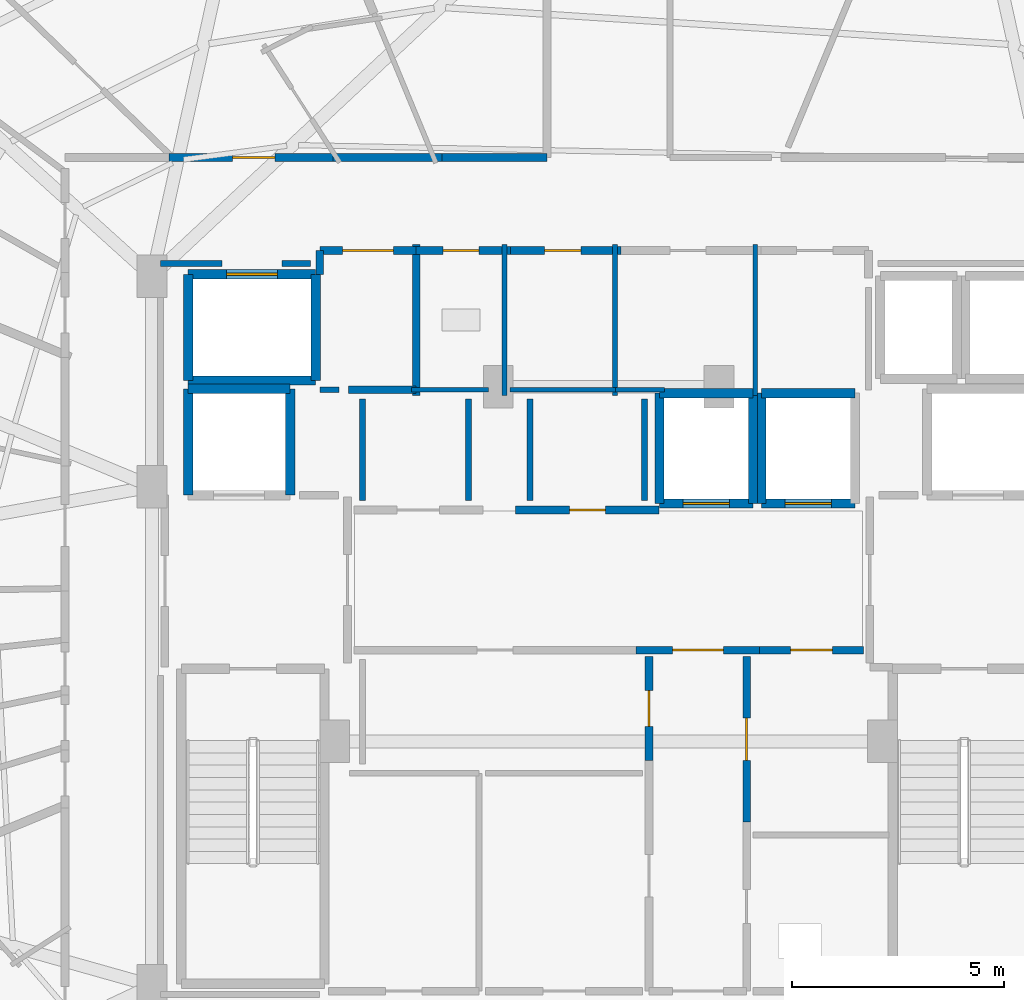
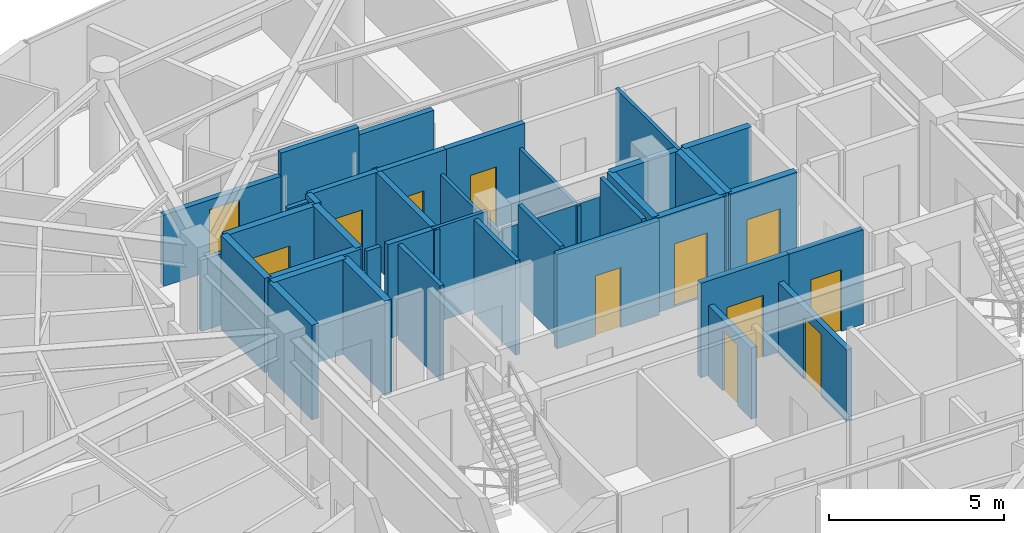
# One storey, part 25 of 31: 41 walls, 12 doors, 12 openings.
"""IFC4 building model written with IfcOpenShell, lengths in metres."""

import ifcopenshell
import ifcopenshell.guid

model = None  # the IFC model being written
_history = None  # IfcOwnerHistory: only IFC2X3 demands one
_inside = {}  # id of a spatial element -> (the spatial element, [elements in it])
_under = {}  # id of a project, library or spatial element -> (it, [spatial elements below it])
_declared = {}  # id of a project -> (the project, [libraries it declares])
_typed = {}  # id of a type object -> (the type object, [elements of that type])
_made_of = {}  # id of a material, layer set ... -> (it, [elements and type objects made of it])


def new_model(schema):
    """Start an empty IFC model of exactly this schema.

    Asked for "IFC4X3", IfcOpenShell would pick the latest addendum, in which some entities
    have other attributes; the version numbers below select the first issue.
    IFC2X3 requires an IfcOwnerHistory on every rooted entity: one is made here for all.
    """
    global model, _history
    if schema == "IFC4X3":
        model = ifcopenshell.file(schema_version=(4, 3, 0, 0))
    else:
        model = ifcopenshell.file(schema=schema)
    _inside.clear()
    _under.clear()
    _declared.clear()
    _typed.clear()
    _made_of.clear()
    _history = None
    if model.schema == "IFC2X3":
        org = make("IfcOrganization", Name="unknown")
        user = make(
            "IfcPersonAndOrganization",
            ThePerson=make("IfcPerson", FamilyName="unknown"),
            TheOrganization=org,
        )
        app = make(
            "IfcApplication",
            ApplicationDeveloper=org,
            Version="unknown",
            ApplicationFullName="unknown",
            ApplicationIdentifier="unknown",
        )
        _history = make(
            "IfcOwnerHistory",
            OwningUser=user,
            OwningApplication=app,
            ChangeAction="ADDED",
            CreationDate=0,
        )
    return model


def make(cls, **values):
    """One entity of the class cls with the attributes given. An attribute that is None is left unset."""
    return model.create_entity(
        cls, **{name: value for name, value in values.items() if value is not None}
    )


def rooted(cls, **values):
    """An entity with a GlobalId (a new one), such as an element, a storey or a relation."""
    return make(cls, GlobalId=ifcopenshell.guid.new(), OwnerHistory=_history, **values)


def si_unit(unit_type, name, prefix=None):
    """IfcSIUnit, for example si_unit("LENGTHUNIT", "METRE", prefix="MILLI")."""
    return make("IfcSIUnit", UnitType=unit_type, Prefix=prefix, Name=name)


def assignment(units):
    """IfcUnitAssignment: the units of a project."""
    return None if units is None else make("IfcUnitAssignment", Units=units)


def point(xyz):
    """IfcCartesianPoint."""
    return None if xyz is None else make("IfcCartesianPoint", Coordinates=xyz)


def direction(xyz):
    """IfcDirection."""
    return None if xyz is None else make("IfcDirection", DirectionRatios=xyz)


def frame(location, z_axis=None, x_axis=None):
    """IfcAxis2Placement3D, a coordinate frame: its origin and axes. An axis left out is left unset."""
    return make(
        "IfcAxis2Placement3D",
        Location=point(location),
        Axis=direction(z_axis),
        RefDirection=direction(x_axis),
    )


def frame_2d(location, x_axis=None):
    """IfcAxis2Placement2D, a coordinate frame in the plane: its origin and x axis."""
    return make(
        "IfcAxis2Placement2D", Location=point(location), RefDirection=direction(x_axis)
    )


def origin():
    """The frame at (0, 0, 0) with its axes left unset."""
    return frame((0.0, 0.0, 0.0))


def place(relative_to, where):
    """IfcLocalPlacement: puts the frame where relative to a parent placement (None: the world)."""
    return make(
        "IfcLocalPlacement", PlacementRelTo=relative_to, RelativePlacement=where
    )


def context(
    kind, dimensions, precision=None, world=None, true_north=None, identifier=None
):
    """IfcGeometricRepresentationContext, for example the 3D "Model" context."""
    return make(
        "IfcGeometricRepresentationContext",
        ContextIdentifier=identifier,
        ContextType=kind,
        CoordinateSpaceDimension=dimensions,
        Precision=precision,
        WorldCoordinateSystem=world,
        TrueNorth=true_north,
    )


def subcontext(parent, identifier, kind, view, scale=None):
    """IfcGeometricRepresentationSubContext, for example "Body" below "Model"."""
    return make(
        "IfcGeometricRepresentationSubContext",
        ContextIdentifier=identifier,
        ContextType=kind,
        ParentContext=parent,
        TargetScale=scale,
        TargetView=view,
    )


def project(units=None, contexts=None):
    """IfcProject with its units and contexts."""
    return rooted(
        "IfcProject",
        Name="project",
        RepresentationContexts=contexts,
        UnitsInContext=assignment(units),
    )


def spatial(cls, under=None, at=None, **own):
    """A site, building, storey or space (cls), placed at a placement, below another one or the project."""
    s = rooted(cls, ObjectPlacement=at, **own)
    if under is not None:
        _under.setdefault(under.id(), (under, []))[1].append(s)
    return s


def profile(cls, at=None, kind="AREA", **sizes):
    """A parametric profile (cls). Its sizes go by their IFC names, for example OverallWidth=200.0."""
    return make(cls, ProfileType=kind, Position=at, **sizes)


def rectangle(**sizes):
    """IfcRectangleProfileDef."""
    return profile("IfcRectangleProfileDef", **sizes)


def extrude(swept, where, along, depth):
    """IfcExtrudedAreaSolid: the profile swept, set in the frame where, extruded along a direction by depth."""
    return make(
        "IfcExtrudedAreaSolid",
        SweptArea=swept,
        Position=where,
        ExtrudedDirection=direction(along),
        Depth=depth,
    )


def shape(context_of_items, identifier, shape_type, items):
    """IfcShapeRepresentation: the items that make up one representation, for example the "Body"."""
    return make(
        "IfcShapeRepresentation",
        ContextOfItems=context_of_items,
        RepresentationIdentifier=identifier,
        RepresentationType=shape_type,
        Items=items,
    )


def material(Name=None, Category=None):
    """IfcMaterial."""
    return make("IfcMaterial", Name=Name, Category=Category)


def layer(
    of_material, thickness, ventilated=None, Name=None, Category=None, Priority=None
):
    """IfcMaterialLayer: one layer of a wall or slab, of a material (None: an air gap)."""
    return make(
        "IfcMaterialLayer",
        Material=of_material,
        LayerThickness=thickness,
        IsVentilated=ventilated,
        Name=Name,
        Category=Category,
        Priority=Priority,
    )


def layer_set(layers, Name=None):
    """IfcMaterialLayerSet."""
    return make("IfcMaterialLayerSet", MaterialLayers=layers, LayerSetName=Name)


def made_of(thing, what):
    """Note that an element or type object is made of a material, layer set ...; save() writes the relation."""
    if what is not None:
        _made_of.setdefault(what.id(), (what, []))[1].append(thing)
    return thing


def type_object(cls, material=None, **own):
    """A type object (cls), such as IfcWallType, which elements share."""
    return made_of(rooted(cls, **own), material)


def element(
    cls,
    number,
    at=None,
    inside=None,
    cuts=None,
    type_object=None,
    material=None,
    context=None,
    identifier="Body",
    shape_type=None,
    held_by="IfcProductDefinitionShape",
    body=None,
    shapes=None,
    **own,
):
    """One element of the class cls, such as IfcWall. Its Tag is "e" and its number.

    at: its placement. inside: the storey or other place that contains it. cuts: it is an
    opening in that element (IfcRelVoidsElement). A single representation is given by context,
    identifier, shape_type and body (its items); several are given by shapes. held_by: the class
    of the entity that holds the representations. save() writes the other relations.
    """
    e = rooted(cls, Tag="e%d" % number, ObjectPlacement=at, **own)
    if body is not None:
        shapes = [shape(context, identifier, shape_type, body)]
    if shapes is not None:
        e.Representation = make(held_by, Representations=shapes)
    if inside is not None:
        _inside.setdefault(inside.id(), (inside, []))[1].append(e)
    if cuts is not None:
        rooted(
            "IfcRelVoidsElement", RelatingBuildingElement=cuts, RelatedOpeningElement=e
        )
    if type_object is not None:
        _typed.setdefault(type_object.id(), (type_object, []))[1].append(e)
    return made_of(e, material)


def fill(opening, filler):
    """IfcRelFillsElement: the door or window that sits in an opening."""
    return rooted(
        "IfcRelFillsElement",
        RelatingOpeningElement=opening,
        RelatedBuildingElement=filler,
    )


def aggregate(whole, parts):
    """IfcRelAggregates: a whole, such as a stair, and the parts it consists of."""
    return rooted("IfcRelAggregates", RelatingObject=whole, RelatedObjects=parts)


def save(model, path):
    """Write the relations noted so far, then the file.

    IfcRelAggregates (storeys below a building ...), IfcRelContainedInSpatialStructure (elements
    in a storey), IfcRelDefinesByType, IfcRelAssociatesMaterial and IfcRelDeclares: one each for
    every whole, place, type object, material and project.
    """
    for whole, parts in _under.values():
        aggregate(whole, parts)
    for where, things in _inside.values():
        rooted(
            "IfcRelContainedInSpatialStructure",
            RelatedElements=things,
            RelatingStructure=where,
        )
    for kind, things in _typed.values():
        rooted("IfcRelDefinesByType", RelatedObjects=things, RelatingType=kind)
    for what, things in _made_of.values():
        rooted("IfcRelAssociatesMaterial", RelatedObjects=things, RelatingMaterial=what)
    for by, libraries in _declared.values():
        rooted("IfcRelDeclares", RelatingContext=by, RelatedDefinitions=libraries)
    model.write(path)


model = new_model("IFC4")

# Units and contexts
model_context = context("Model", 3, precision=1e-05, world=origin(), true_north=direction((0.0, 1.0)))
body_context = subcontext(model_context, "Body", "Model", "MODEL_VIEW")
ifc_project = project(units=[si_unit("LENGTHUNIT", "METRE"), si_unit("AREAUNIT", "SQUARE_METRE"), si_unit("VOLUMEUNIT", "CUBIC_METRE"), si_unit("PLANEANGLEUNIT", "RADIAN"), si_unit("MASSUNIT", "GRAM", prefix="KILO")], contexts=[model_context])

# Site, building, storey
site_placement = place(None, origin())
site = spatial("IfcSite", under=ifc_project, at=site_placement, CompositionType="ELEMENT")
building_placement = place(site_placement, origin())
building = spatial("IfcBuilding", under=site, at=building_placement, Name="Vorneva Point Tower", CompositionType="ELEMENT")
storey_placement = place(building_placement, frame((0.0, 0.0, 244.89990234375)))
storey = spatial("IfcBuildingStorey", under=building, at=storey_placement, Name="L66", CompositionType="ELEMENT", Elevation=244.89990234375)

# Walls
ifc_material_1 = material(Name="Concrete B60 (C50/60)", Category="concrete")
ifc_layer_1 = layer(ifc_material_1, 0.35009765625)
ifc_layer_set_1 = layer_set([ifc_layer_1], Name="Concrete B60 (C50/60)")
wall_type_1 = type_object("IfcWallType", Name="WL-CORE-350", PredefinedType="SHEAR", material=ifc_layer_set_1)
wall_1_placement = place(storey_placement, frame((30.5, 28.0, 0.0), z_axis=(0.0, 0.0, 1.0), x_axis=(0.0, 1.0, 0.0)))
element("IfcWall", 1, at=wall_1_placement, inside=storey, type_object=wall_type_1, Name="L66 Lift FFL1 Shaft Wall +X", PredefinedType="SHEAR", context=body_context, shape_type="SweptSolid", body=[
    extrude(rectangle(XDim=2.5, YDim=0.219970703125, at=frame_2d((1.25, 0.0))), origin(), (0.0, 0.0, 1.0), 3.2900390625),
])
wall_2_placement = place(storey_placement, frame((30.5, 30.5, 0.0), z_axis=(0.0, 0.0, 1.0), x_axis=(-1.0, 0.0, 0.0)))
element("IfcWall", 2, at=wall_2_placement, inside=storey, type_object=wall_type_1, Name="L66 Lift FFL1 Shaft Wall +Y", PredefinedType="SHEAR", context=body_context, shape_type="SweptSolid", body=[
    extrude(rectangle(XDim=2.39990234375, YDim=0.219970703125, at=frame_2d((1.199951171875, 0.0))), origin(), (0.0, 0.0, 1.0), 3.2900390625),
])
wall_3_placement = place(storey_placement, frame((28.10009765625, 30.5, 0.0), z_axis=(0.0, 0.0, 1.0), x_axis=(0.0, -1.0, 0.0)))
element("IfcWall", 3, at=wall_3_placement, inside=storey, type_object=wall_type_1, Name="L66 Lift FFL1 Shaft Wall -X", PredefinedType="SHEAR", context=body_context, shape_type="SweptSolid", body=[
    extrude(rectangle(XDim=2.5, YDim=0.219970703125, at=frame_2d((1.25, 0.0))), origin(), (0.0, 0.0, 1.0), 3.2900390625),
])
ifc_material_2 = material(Name="Fire-rated acoustic gypsum stud partition", Category="gypsum")
ifc_layer_2 = layer(ifc_material_2, 0.110107421875)
ifc_layer_set_2 = layer_set([ifc_layer_2], Name="Fire-rated acoustic gypsum stud partition")
wall_type_2 = type_object("IfcWallType", Name="WL-PART-110", PredefinedType="PARTITIONING", material=ifc_layer_set_2)
wall_4_placement = place(storey_placement, frame((35.550048828125, 30.340087890625, 0.0), z_axis=(0.0, 0.0, 1.0), x_axis=(0.0, 1.0, 0.0)))
element("IfcWall", 4, at=wall_4_placement, inside=storey, type_object=wall_type_2, Name="L66 Interior Partition 022", PredefinedType="PARTITIONING", context=body_context, shape_type="SweptSolid", body=[
    extrude(rectangle(XDim=3.559814453125, YDim=0.110107421875, at=frame_2d((1.77978515625, 0.0))), origin(), (0.0, 0.0, 1.0), 2.482177734375),
])
wall_5_placement = place(storey_placement, frame((33.360107421875, 30.47998046875, 0.0), z_axis=(0.0, 0.0, 1.0), x_axis=(1.0, 0.0, 0.0)))
element("IfcWall", 5, at=wall_5_placement, inside=storey, type_object=wall_type_2, Name="L66 Interior Partition 023", PredefinedType="PARTITIONING", context=body_context, shape_type="SweptSolid", body=[
    extrude(rectangle(XDim=1.809814453125, YDim=0.110107421875, at=frame_2d((0.90478515625, 0.0))), origin(), (0.0, 0.0, 1.0), 3.2900390625),
])
wall_6_placement = place(storey_placement, frame((38.14990234375, 30.340087890625, 0.0), z_axis=(0.0, 0.0, 1.0), x_axis=(0.0, 1.0, 0.0)))
element("IfcWall", 6, at=wall_6_placement, inside=storey, type_object=wall_type_2, Name="L66 Interior Partition 025", PredefinedType="PARTITIONING", context=body_context, shape_type="SweptSolid", body=[
    extrude(rectangle(XDim=3.559814453125, YDim=0.110107421875, at=frame_2d((1.77978515625, 0.0))), origin(), (0.0, 0.0, 1.0), 2.482177734375),
])
wall_7_placement = place(storey_placement, frame((35.679931640625, 30.47998046875, 0.0), z_axis=(0.0, 0.0, 1.0), x_axis=(1.0, 0.0, 0.0)))
element("IfcWall", 7, at=wall_7_placement, inside=storey, type_object=wall_type_2, Name="L66 Interior Partition 026", PredefinedType="PARTITIONING", context=body_context, shape_type="SweptSolid", body=[
    extrude(rectangle(XDim=2.594970703125, YDim=0.110107421875, at=frame_2d((1.29736328125, 0.0))), origin(), (0.0, 0.0, 1.0), 2.482177734375),
])
wall_8_placement = place(storey_placement, frame((41.449951171875, 30.340087890625, 0.0), z_axis=(0.0, 0.0, 1.0), x_axis=(0.0, 1.0, 0.0)))
element("IfcWall", 8, at=wall_8_placement, inside=storey, type_object=wall_type_2, Name="L66 Interior Partition 028", PredefinedType="PARTITIONING", context=body_context, shape_type="SweptSolid", body=[
    extrude(rectangle(XDim=3.559814453125, YDim=0.110107421875, at=frame_2d((1.77978515625, 0.0))), origin(), (0.0, 0.0, 1.0), 3.2900390625),
])
wall_9_placement = place(storey_placement, frame((38.1650390625, 30.47998046875, 0.0), z_axis=(0.0, 0.0, 1.0), x_axis=(1.0, 0.0, 0.0)))
element("IfcWall", 9, at=wall_9_placement, inside=storey, type_object=wall_type_2, Name="L66 Interior Partition 029", PredefinedType="PARTITIONING", context=body_context, shape_type="SweptSolid", body=[
    extrude(rectangle(XDim=1.155029296875, YDim=0.110107421875, at=frame_2d((0.57763671875, 0.0))), origin(), (0.0, 0.0, 1.0), 2.482177734375),
])
ifc_layer_3 = layer(ifc_material_2, 0.139892578125)
ifc_layer_set_3 = layer_set([ifc_layer_3], Name="Fire-rated acoustic gypsum stud partition")
wall_type_3 = type_object("IfcWallType", Name="WL-PART-140", PredefinedType="PARTITIONING", material=ifc_layer_set_3)
wall_10_placement = place(storey_placement, frame((31.199951171875, 30.47998046875, 0.0), z_axis=(0.0, 0.0, 1.0), x_axis=(1.0, 0.0, 0.0)))
element("IfcWall", 10, at=wall_10_placement, inside=storey, type_object=wall_type_3, Name="L66 Interior Closure Partition 130", PredefinedType="PARTITIONING", context=body_context, shape_type="SweptSolid", body=[
    extrude(rectangle(XDim=0.449951171875, YDim=0.139892578125, at=frame_2d((0.22509765625, 0.0))), origin(), (0.0, 0.0, 1.0), 3.2900390625),
])
for number, where, z_axis, x_axis, name in (
    (11, (32.199951171875, 30.260009765625, 0.0), (0.0, 0.0, 1.0), (0.0, -1.0, 0.0), "L66 Interior Closure Partition 132"),
    (12, (34.699951171875, 27.8701171875, 0.0), (0.0, 0.0, 1.0), (0.0, 1.0, 0.0), "L66 Interior Closure Partition 133"),
    (13, (36.14990234375, 30.260009765625, 0.0), (0.0, 0.0, 1.0), (0.0, -1.0, 0.0), "L66 Interior Closure Partition 134"),
    (14, (38.85009765625, 27.8701171875, 0.0), (0.0, 0.0, 1.0), (0.0, 1.0, 0.0), "L66 Interior Closure Partition 135"),
):
    element("IfcWall", number, at=place(storey_placement, frame(where, z_axis=z_axis, x_axis=x_axis)), inside=storey, type_object=wall_type_3, Name=name, PredefinedType="PARTITIONING", context=body_context, shape_type="SweptSolid", body=[
        extrude(rectangle(XDim=2.389892578125, YDim=0.139892578125, at=frame_2d((1.19482421875, 0.0))), origin(), (0.0, 0.0, 1.0), 3.2900390625),
    ])
wall_11_placement = place(storey_placement, frame((30.97998046875, 33.449951171875, 0.0), z_axis=(0.0, 0.0, 1.0), x_axis=(-1.0, 0.0, 0.0)))
element("IfcWall", 15, at=wall_11_placement, inside=storey, type_object=wall_type_3, Name="L66 Interior Closure Partition 145", PredefinedType="PARTITIONING", context=body_context, shape_type="SweptSolid", body=[
    extrude(rectangle(XDim=0.674072265625, YDim=0.139892578125, at=frame_2d((0.3369140625, 0.0))), origin(), (0.0, 0.0, 1.0), 3.2900390625),
])
wall_12_placement = place(storey_placement, frame((28.89404296875, 33.449951171875, 0.0), z_axis=(0.0, 0.0, 1.0), x_axis=(-1.0, 0.0, 0.0)))
element("IfcWall", 16, at=wall_12_placement, inside=storey, type_object=wall_type_3, Name="L66 Interior Closure Partition 146", PredefinedType="PARTITIONING", context=body_context, shape_type="SweptSolid", body=[
    extrude(rectangle(XDim=1.444091796875, YDim=0.139892578125, at=frame_2d((0.72216796875, 0.0))), origin(), (0.0, 0.0, 1.0), 2.482177734375),
])
ifc_material_3 = material(Name="Autoclaved aerated concrete blockwork", Category="masonry")
ifc_layer_4 = layer(ifc_material_3, 0.179931640625)
ifc_layer_set_4 = layer_set([ifc_layer_4], Name="Autoclaved aerated concrete blockwork")
wall_type_4 = type_object("IfcWallType", Name="WL-PART-180", PredefinedType="PARTITIONING", material=ifc_layer_set_4)
wall_13_placement = place(storey_placement, frame((33.469970703125, 30.340087890625, 0.0), z_axis=(0.0, 0.0, 1.0), x_axis=(0.0, 1.0, 0.0)))
element("IfcWall", 17, at=wall_13_placement, inside=storey, type_object=wall_type_4, Name="L66 Interior Partition 006", PredefinedType="PARTITIONING", context=body_context, shape_type="SweptSolid", body=[
    extrude(rectangle(XDim=3.559814453125, YDim=0.179931640625, at=frame_2d((1.77978515625, 0.0))), origin(), (0.0, 0.0, 1.0), 3.2900390625),
])
wall_14_placement = place(storey_placement, frame((31.8701171875, 30.47998046875, 0.0), z_axis=(0.0, 0.0, 1.0), x_axis=(1.0, 0.0, 0.0)))
element("IfcWall", 18, at=wall_14_placement, inside=storey, type_object=wall_type_4, Name="L66 Interior Partition 007", PredefinedType="PARTITIONING", context=body_context, shape_type="SweptSolid", body=[
    extrude(rectangle(XDim=1.599853515625, YDim=0.179931640625, at=frame_2d((0.7998046875, 0.0))), origin(), (0.0, 0.0, 1.0), 3.2900390625),
])

# Wall, opening, door
wall_15_placement = place(storey_placement, frame((33.469970703125, 33.760009765625, 0.0), z_axis=(0.0, 0.0, 1.0), x_axis=(-1.0, 0.0, 0.0)))
wall_15 = element("IfcWall", 19, at=wall_15_placement, inside=storey, type_object=wall_type_4, Name="L66 Interior Partition 008", PredefinedType="PARTITIONING", context=body_context, shape_type="SweptSolid", body=[
    extrude(rectangle(XDim=2.27001953125, YDim=0.179931640625, at=frame_2d((1.135009765625, 0.0))), origin(), (0.0, 0.0, 1.0), 3.2900390625),
])
opening_1_placement = place(wall_15_placement, frame((0.534912109375, 0.0, 0.0)))
opening_1 = element("IfcOpeningElement", 20, at=opening_1_placement, cuts=wall_15, Name="Opening FD-02", PredefinedType="OPENING", context=body_context, shape_type="SweptSolid", body=[
    extrude(rectangle(XDim=1.199951171875, YDim=2.14990234375, at=frame_2d((0.60009765625, 1.074951171875))), frame((0.0, 0.10498046875, 0.0), z_axis=(0.0, -1.0, 0.0), x_axis=(1.0, 0.0, 0.0)), (0.0, 0.0, 1.0), 0.209716796875),
])
ifc_material_4 = material(Name="Fire-rated powder-coated steel", Category="steel")
door_type_1 = type_object("IfcDoorType", Name="DR-FFL-1200", OperationType="NOTDEFINED", PredefinedType="DOOR", material=ifc_material_4)
door_1_placement = place(opening_1_placement, origin())
door_1 = element("IfcDoor", 21, at=door_1_placement, inside=storey, type_object=door_type_1, Name="L66 Door Service Lift Lobby / L66 Circulation Corridor", OperationType="SINGLE_SWING_LEFT", OverallHeight=2.14990234375, OverallWidth=1.199951171875, PredefinedType="DOOR", context=body_context, shape_type="SweptSolid", body=[
    extrude(rectangle(XDim=1.199951171875, YDim=2.14990234375, at=frame_2d((0.60009765625, 1.074951171875))), frame((0.0, 0.02490234375, 0.0), z_axis=(0.0, -1.0, 0.0), x_axis=(1.0, 0.0, 0.0)), (0.0, 0.0, 1.0), 0.050048828125),
])
fill(opening_1, door_1)

# Wall
wall_16_placement = place(storey_placement, frame((31.199951171875, 33.760009765625, 0.0), z_axis=(0.0, 0.0, 1.0), x_axis=(0.0, -1.0, 0.0)))
element("IfcWall", 22, at=wall_16_placement, inside=storey, type_object=wall_type_4, Name="L66 Interior Partition 009", PredefinedType="PARTITIONING", context=body_context, shape_type="SweptSolid", body=[
    extrude(rectangle(XDim=0.56005859375, YDim=0.179931640625, at=frame_2d((0.280029296875, 0.0))), origin(), (0.0, 0.0, 1.0), 3.2900390625),
])

# Wall, opening, door
wall_17_placement = place(storey_placement, frame((38.64501953125, 24.35009765625, 0.0), z_axis=(0.0, 0.0, 1.0), x_axis=(1.0, 0.0, 0.0)))
wall_17 = element("IfcWall", 23, at=wall_17_placement, inside=storey, type_object=wall_type_4, Name="L66 Interior Partition 010", PredefinedType="PARTITIONING", context=body_context, shape_type="SweptSolid", body=[
    extrude(rectangle(XDim=2.909912109375, YDim=0.179931640625, at=frame_2d((1.455078125, 0.0))), origin(), (0.0, 0.0, 1.0), 3.2900390625),
])
opening_2_placement = place(wall_17_placement, frame((0.85498046875, 0.0, 0.0)))
opening_2 = element("IfcOpeningElement", 24, at=opening_2_placement, cuts=wall_17, Name="Opening FD-02", PredefinedType="OPENING", context=body_context, shape_type="SweptSolid", body=[
    extrude(rectangle(XDim=1.199951171875, YDim=2.14990234375, at=frame_2d((0.60009765625, 1.074951171875))), frame((0.0, 0.10498046875, 0.0), z_axis=(0.0, -1.0, 0.0), x_axis=(1.0, 0.0, 0.0)), (0.0, 0.0, 1.0), 0.209716796875),
])
door_2_placement = place(opening_2_placement, origin())
door_2 = element("IfcDoor", 25, at=door_2_placement, inside=storey, type_object=door_type_1, Name="L66 Door Central Lift Lobby / Core Service Lobby", OperationType="SINGLE_SWING_RIGHT", OverallHeight=2.14990234375, OverallWidth=1.199951171875, PredefinedType="DOOR", context=body_context, shape_type="SweptSolid", body=[
    extrude(rectangle(XDim=1.199951171875, YDim=2.14990234375, at=frame_2d((0.60009765625, 1.074951171875))), frame((0.0, 0.02490234375, 0.0), z_axis=(0.0, -1.0, 0.0), x_axis=(1.0, 0.0, 0.0)), (0.0, 0.0, 1.0), 0.050048828125),
])
fill(opening_2, door_2)

wall_18_placement = place(storey_placement, frame((41.554931640625, 24.35009765625, 0.0), z_axis=(0.0, 0.0, 1.0), x_axis=(1.0, 0.0, 0.0)))
wall_18 = element("IfcWall", 26, at=wall_18_placement, inside=storey, type_object=wall_type_4, Name="L66 Interior Partition 011", PredefinedType="PARTITIONING", context=body_context, shape_type="SweptSolid", body=[
    extrude(rectangle(XDim=2.445068359375, YDim=0.179931640625, at=frame_2d((1.22265625, 0.0))), origin(), (0.0, 0.0, 1.0), 3.2900390625),
])
opening_3_placement = place(wall_18_placement, frame((0.722412109375, 0.0, 0.0)))
opening_3 = element("IfcOpeningElement", 27, at=opening_3_placement, cuts=wall_18, Name="Opening UD-01", PredefinedType="OPENING", context=body_context, shape_type="SweptSolid", body=[
    extrude(rectangle(XDim=1.0, YDim=2.14990234375, at=frame_2d((0.5, 1.074951171875))), frame((0.0, 0.10498046875, 0.0), z_axis=(0.0, -1.0, 0.0), x_axis=(1.0, 0.0, 0.0)), (0.0, 0.0, 1.0), 0.209716796875),
])
ifc_material_5 = material(Name="Engineered oak fire-rated door leaf", Category="wood")
door_type_2 = type_object("IfcDoorType", Name="DR-UNIT-1000", OperationType="NOTDEFINED", PredefinedType="DOOR", material=ifc_material_5)
door_3_placement = place(opening_3_placement, origin())
door_3 = element("IfcDoor", 28, at=door_3_placement, inside=storey, type_object=door_type_2, Name="L66 Door Central Lift Lobby / Floor Management Office", OperationType="SINGLE_SWING_LEFT", OverallHeight=2.14990234375, OverallWidth=1.0, PredefinedType="DOOR", context=body_context, shape_type="SweptSolid", body=[
    extrude(rectangle(XDim=1.0, YDim=2.14990234375, at=frame_2d((0.5, 1.074951171875))), frame((0.0, 0.02490234375, 0.0), z_axis=(0.0, -1.0, 0.0), x_axis=(1.0, 0.0, 0.0)), (0.0, 0.0, 1.0), 0.050048828125),
])
fill(opening_3, door_3)

wall_19_placement = place(storey_placement, frame((39.18994140625, 27.64990234375, 0.0), z_axis=(0.0, 0.0, 1.0), x_axis=(-1.0, 0.0, 0.0)))
wall_19 = element("IfcWall", 29, at=wall_19_placement, inside=storey, type_object=wall_type_4, Name="L66 Interior Partition 013", PredefinedType="PARTITIONING", context=body_context, shape_type="SweptSolid", body=[
    extrude(rectangle(XDim=3.3798828125, YDim=0.179931640625, at=frame_2d((1.68994140625, 0.0))), origin(), (0.0, 0.0, 1.0), 3.2900390625),
])
opening_4_placement = place(wall_19_placement, frame((1.264892578125, 0.0, 0.0)))
opening_4 = element("IfcOpeningElement", 30, at=opening_4_placement, cuts=wall_19, Name="Opening ID-02", PredefinedType="OPENING", context=body_context, shape_type="SweptSolid", body=[
    extrude(rectangle(XDim=0.85009765625, YDim=2.10009765625, at=frame_2d((0.425048828125, 1.050048828125))), frame((0.0, 0.10498046875, 0.0), z_axis=(0.0, -1.0, 0.0), x_axis=(1.0, 0.0, 0.0)), (0.0, 0.0, 1.0), 0.209716796875),
])
door_type_3 = type_object("IfcDoorType", Name="DR-BATH-850", OperationType="NOTDEFINED", PredefinedType="DOOR", material=ifc_material_5)
door_4_placement = place(opening_4_placement, origin())
door_4 = element("IfcDoor", 31, at=door_4_placement, inside=storey, type_object=door_type_3, Name="L66 Door Central Lift Lobby / Reclaimed Core Archive Store", OperationType="SINGLE_SWING_LEFT", OverallHeight=2.10009765625, OverallWidth=0.85009765625, PredefinedType="DOOR", context=body_context, shape_type="SweptSolid", body=[
    extrude(rectangle(XDim=0.85009765625, YDim=2.10009765625, at=frame_2d((0.425048828125, 1.050048828125))), frame((0.0, 0.02490234375, 0.0), z_axis=(0.0, -1.0, 0.0), x_axis=(1.0, 0.0, 0.0)), (0.0, 0.0, 1.0), 0.050048828125),
])
fill(opening_4, door_4)

wall_20_placement = place(storey_placement, frame((41.25, 20.304931640625, 0.0), z_axis=(0.0, 0.0, 1.0), x_axis=(0.0, 1.0, 0.0)))
wall_20 = element("IfcWall", 32, at=wall_20_placement, inside=storey, type_object=wall_type_4, Name="L66 Interior Partition 016", PredefinedType="PARTITIONING", context=body_context, shape_type="SweptSolid", body=[
    extrude(rectangle(XDim=3.89501953125, YDim=0.179931640625, at=frame_2d((1.947509765625, 0.0))), origin(), (0.0, 0.0, 1.0), 2.482177734375),
])
opening_5_placement = place(wall_20_placement, frame((1.447509765625, 0.0, 0.0)))
opening_5 = element("IfcOpeningElement", 33, at=opening_5_placement, cuts=wall_20, Name="Opening UD-01", PredefinedType="OPENING", context=body_context, shape_type="SweptSolid", body=[
    extrude(rectangle(XDim=1.0, YDim=2.14990234375, at=frame_2d((0.5, 1.074951171875))), frame((0.0, 0.10498046875, 0.0), z_axis=(0.0, -1.0, 0.0), x_axis=(1.0, 0.0, 0.0)), (0.0, 0.0, 1.0), 0.209716796875),
])
door_5_placement = place(opening_5_placement, origin())
door_5 = element("IfcDoor", 34, at=door_5_placement, inside=storey, type_object=door_type_2, Name="L66 Door Core Service Lobby / Floor Management Office", OperationType="SINGLE_SWING_RIGHT", OverallHeight=2.14990234375, OverallWidth=1.0, PredefinedType="DOOR", context=body_context, shape_type="SweptSolid", body=[
    extrude(rectangle(XDim=1.0, YDim=2.14990234375, at=frame_2d((0.5, 1.074951171875))), frame((0.0, 0.02490234375, 0.0), z_axis=(0.0, -1.0, 0.0), x_axis=(1.0, 0.0, 0.0)), (0.0, 0.0, 1.0), 0.050048828125),
])
fill(opening_5, door_5)

wall_21_placement = place(storey_placement, frame((38.949951171875, 24.199951171875, 0.0), z_axis=(0.0, 0.0, 1.0), x_axis=(0.0, -1.0, 0.0)))
wall_21 = element("IfcWall", 35, at=wall_21_placement, inside=storey, type_object=wall_type_4, Name="L66 Interior Partition 018", PredefinedType="PARTITIONING", context=body_context, shape_type="SweptSolid", body=[
    extrude(rectangle(XDim=2.445068359375, YDim=0.179931640625, at=frame_2d((1.22265625, 0.0))), origin(), (0.0, 0.0, 1.0), 2.482177734375),
])
opening_6_placement = place(wall_21_placement, frame((0.797607421875, 0.0, 0.0)))
opening_6 = element("IfcOpeningElement", 36, at=opening_6_placement, cuts=wall_21, Name="Opening ID-02", PredefinedType="OPENING", context=body_context, shape_type="SweptSolid", body=[
    extrude(rectangle(XDim=0.85009765625, YDim=2.10009765625, at=frame_2d((0.425048828125, 1.050048828125))), frame((0.0, 0.10498046875, 0.0), z_axis=(0.0, -1.0, 0.0), x_axis=(1.0, 0.0, 0.0)), (0.0, 0.0, 1.0), 0.209716796875),
])
door_6_placement = place(opening_6_placement, origin())
door_6 = element("IfcDoor", 37, at=door_6_placement, inside=storey, type_object=door_type_3, Name="L66 Door Core Service Lobby / Reclaimed High-Zone Wine Vault", OperationType="SINGLE_SWING_RIGHT", OverallHeight=2.10009765625, OverallWidth=0.85009765625, PredefinedType="DOOR", context=body_context, shape_type="SweptSolid", body=[
    extrude(rectangle(XDim=0.85009765625, YDim=2.10009765625, at=frame_2d((0.425048828125, 1.050048828125))), frame((0.0, 0.02490234375, 0.0), z_axis=(0.0, -1.0, 0.0), x_axis=(1.0, 0.0, 0.0)), (0.0, 0.0, 1.0), 0.050048828125),
])
fill(opening_6, door_6)

wall_22_placement = place(storey_placement, frame((35.68994140625, 33.760009765625, 0.0), z_axis=(0.0, 0.0, 1.0), x_axis=(-1.0, 0.0, 0.0)))
wall_22 = element("IfcWall", 38, at=wall_22_placement, inside=storey, type_object=wall_type_4, Name="L66 Interior Partition 024", PredefinedType="PARTITIONING", context=body_context, shape_type="SweptSolid", body=[
    extrude(rectangle(XDim=2.329833984375, YDim=0.179931640625, at=frame_2d((1.1650390625, 0.0))), origin(), (0.0, 0.0, 1.0), 3.2900390625),
])
opening_7_placement = place(wall_22_placement, frame((0.739990234375, 0.0, 0.0)))
opening_7 = element("IfcOpeningElement", 39, at=opening_7_placement, cuts=wall_22, Name="Opening ID-02", PredefinedType="OPENING", context=body_context, shape_type="SweptSolid", body=[
    extrude(rectangle(XDim=0.85009765625, YDim=2.10009765625, at=frame_2d((0.425048828125, 1.050048828125))), frame((0.0, 0.10498046875, 0.0), z_axis=(0.0, -1.0, 0.0), x_axis=(1.0, 0.0, 0.0)), (0.0, 0.0, 1.0), 0.209716796875),
])
door_7_placement = place(opening_7_placement, origin())
door_7 = element("IfcDoor", 40, at=door_7_placement, inside=storey, type_object=door_type_3, Name="L66 Door Accessible WC / L66 Circulation Corridor", OperationType="SINGLE_SWING_LEFT", OverallHeight=2.10009765625, OverallWidth=0.85009765625, PredefinedType="DOOR", context=body_context, shape_type="SweptSolid", body=[
    extrude(rectangle(XDim=0.85009765625, YDim=2.10009765625, at=frame_2d((0.425048828125, 1.050048828125))), frame((0.0, 0.02490234375, 0.0), z_axis=(0.0, -1.0, 0.0), x_axis=(1.0, 0.0, 0.0)), (0.0, 0.0, 1.0), 0.050048828125),
])
fill(opening_7, door_7)

wall_23_placement = place(storey_placement, frame((38.2900390625, 33.760009765625, 0.0), z_axis=(0.0, 0.0, 1.0), x_axis=(-1.0, 0.0, 0.0)))
wall_23 = element("IfcWall", 41, at=wall_23_placement, inside=storey, type_object=wall_type_4, Name="L66 Interior Partition 027", PredefinedType="PARTITIONING", context=body_context, shape_type="SweptSolid", body=[
    extrude(rectangle(XDim=2.739990234375, YDim=0.179931640625, at=frame_2d((1.3701171875, 0.0))), origin(), (0.0, 0.0, 1.0), 3.2900390625),
])
opening_8_placement = place(wall_23_placement, frame((0.945068359375, 0.0, 0.0)))
opening_8 = element("IfcOpeningElement", 42, at=opening_8_placement, cuts=wall_23, Name="Opening ID-02", PredefinedType="OPENING", context=body_context, shape_type="SweptSolid", body=[
    extrude(rectangle(XDim=0.85009765625, YDim=2.10009765625, at=frame_2d((0.425048828125, 1.050048828125))), frame((0.0, 0.10498046875, 0.0), z_axis=(0.0, -1.0, 0.0), x_axis=(1.0, 0.0, 0.0)), (0.0, 0.0, 1.0), 0.209716796875),
])
door_8_placement = place(opening_8_placement, origin())
door_8 = element("IfcDoor", 43, at=door_8_placement, inside=storey, type_object=door_type_3, Name="L66 Door Public Male WC / L66 Circulation Corridor", OperationType="SINGLE_SWING_RIGHT", OverallHeight=2.10009765625, OverallWidth=0.85009765625, PredefinedType="DOOR", context=body_context, shape_type="SweptSolid", body=[
    extrude(rectangle(XDim=0.85009765625, YDim=2.10009765625, at=frame_2d((0.425048828125, 1.050048828125))), frame((0.0, 0.02490234375, 0.0), z_axis=(0.0, -1.0, 0.0), x_axis=(1.0, 0.0, 0.0)), (0.0, 0.0, 1.0), 0.050048828125),
])
fill(opening_8, door_8)

wall_24_placement = place(storey_placement, frame((31.64892578125, 35.949951171875, 0.0), z_axis=(0.0, 0.0, 1.0), x_axis=(-1.0, 0.0, 0.0)))
wall_24 = element("IfcWall", 44, at=wall_24_placement, inside=storey, type_object=wall_type_4, Name="L66 Interior Partition 038", PredefinedType="PARTITIONING", context=body_context, shape_type="SweptSolid", body=[
    extrude(rectangle(XDim=4.0029296875, YDim=0.179931640625, at=frame_2d((2.00146484375, 0.0))), origin(), (0.0, 0.0, 1.0), 2.482177734375),
])
opening_9_placement = place(wall_24_placement, frame((1.50146484375, 0.0, 0.0)))
opening_9 = element("IfcOpeningElement", 45, at=opening_9_placement, cuts=wall_24, Name="Opening UD-01", PredefinedType="OPENING", context=body_context, shape_type="SweptSolid", body=[
    extrude(rectangle(XDim=1.0, YDim=2.14990234375, at=frame_2d((0.5, 1.074951171875))), frame((0.0, 0.10498046875, 0.0), z_axis=(0.0, -1.0, 0.0), x_axis=(1.0, 0.0, 0.0)), (0.0, 0.0, 1.0), 0.209716796875),
])
door_9_placement = place(opening_9_placement, origin())
door_9 = element("IfcDoor", 46, at=door_9_placement, inside=storey, type_object=door_type_2, Name="L66 Door L66 Circulation Corridor / Living and Dining Room L66-01", OperationType="SINGLE_SWING_LEFT", OverallHeight=2.14990234375, OverallWidth=1.0, PredefinedType="DOOR", context=body_context, shape_type="SweptSolid", body=[
    extrude(rectangle(XDim=1.0, YDim=2.14990234375, at=frame_2d((0.5, 1.074951171875))), frame((0.0, 0.02490234375, 0.0), z_axis=(0.0, -1.0, 0.0), x_axis=(1.0, 0.0, 0.0)), (0.0, 0.0, 1.0), 0.050048828125),
])
fill(opening_9, door_9)

# Walls
wall_25_placement = place(storey_placement, frame((34.0791015625, 35.949951171875, 0.0), z_axis=(0.0, 0.0, 1.0), x_axis=(-1.0, 0.0, 0.0)))
element("IfcWall", 47, at=wall_25_placement, inside=storey, type_object=wall_type_4, Name="L66 Interior Partition 039", PredefinedType="PARTITIONING", context=body_context, shape_type="SweptSolid", body=[
    extrude(rectangle(XDim=2.570068359375, YDim=0.179931640625, at=frame_2d((1.28515625, 0.0))), origin(), (0.0, 0.0, 1.0), 3.2900390625),
])
wall_26_placement = place(storey_placement, frame((36.550048828125, 35.949951171875, 0.0), z_axis=(0.0, 0.0, 1.0), x_axis=(-1.0, 0.0, 0.0)))
element("IfcWall", 48, at=wall_26_placement, inside=storey, type_object=wall_type_4, Name="L66 Interior Partition 070", PredefinedType="PARTITIONING", context=body_context, shape_type="SweptSolid", body=[
    extrude(rectangle(XDim=2.470947265625, YDim=0.179931640625, at=frame_2d((1.2353515625, 0.0))), origin(), (0.0, 0.0, 1.0), 3.022216796875),
])

# Wall, opening, door
ifc_material_6 = material(Name="Concrete B50 (C40/50)", Category="concrete")
ifc_layer_5 = layer(ifc_material_6, 0.219970703125)
ifc_layer_set_5 = layer_set([ifc_layer_5], Name="Concrete B50 (C40/50)")
wall_type_5 = type_object("IfcWallType", Name="WL-SHFT-220", PredefinedType="SOLIDWALL", material=ifc_layer_set_5)
wall_27_placement = place(storey_placement, frame((39.199951171875, 27.800048828125, 0.0), z_axis=(0.0, 0.0, 1.0), x_axis=(1.0, 0.0, 0.0)))
wall_27 = element("IfcWall", 49, at=wall_27_placement, inside=storey, type_object=wall_type_5, Name="L66 Lift PL7 Shaft Wall -Y", PredefinedType="SOLIDWALL", context=body_context, shape_type="SweptSolid", body=[
    extrude(rectangle(XDim=2.199951171875, YDim=0.219970703125, at=frame_2d((1.10009765625, 0.0))), origin(), (0.0, 0.0, 1.0), 3.2900390625),
])
opening_10_placement = place(wall_27_placement, frame((0.550048828125, 0.0, 0.0)))
opening_10 = element("IfcOpeningElement", 50, at=opening_10_placement, cuts=wall_27, Name="Opening LD-01", PredefinedType="OPENING", context=body_context, shape_type="SweptSolid", body=[
    extrude(rectangle(XDim=1.10009765625, YDim=2.199951171875, at=frame_2d((0.550048828125, 1.10009765625))), frame((0.0, 0.125, 0.0), z_axis=(0.0, -1.0, 0.0), x_axis=(1.0, 0.0, 0.0)), (0.0, 0.0, 1.0), 0.249755859375),
])
ifc_material_7 = material(Name="Brushed stainless steel S304", Category="steel")
door_type_4 = type_object("IfcDoorType", Name="LD-PASS-1100", OperationType="SLIDING_TO_LEFT", PredefinedType="DOOR", material=ifc_material_7)
door_10_placement = place(opening_10_placement, origin())
door_10 = element("IfcDoor", 51, at=door_10_placement, inside=storey, type_object=door_type_4, Name="L66 Lift PL7 Sliding Landing Door", OperationType="SLIDING_TO_LEFT", OverallHeight=2.199951171875, OverallWidth=1.10009765625, PredefinedType="DOOR", context=body_context, shape_type="SweptSolid", body=[
    extrude(rectangle(XDim=1.10009765625, YDim=2.199951171875, at=frame_2d((0.550048828125, 1.10009765625))), frame((0.0, 0.02490234375, 0.0), z_axis=(0.0, -1.0, 0.0), x_axis=(1.0, 0.0, 0.0)), (0.0, 0.0, 1.0), 0.050048828125),
])
fill(opening_10, door_10)

# Walls
wall_28_placement = place(storey_placement, frame((41.39990234375, 27.800048828125, 0.0), z_axis=(0.0, 0.0, 1.0), x_axis=(0.0, 1.0, 0.0)))
element("IfcWall", 52, at=wall_28_placement, inside=storey, type_object=wall_type_5, Name="L66 Lift PL7 Shaft Wall +X", PredefinedType="SOLIDWALL", context=body_context, shape_type="SweptSolid", body=[
    extrude(rectangle(XDim=2.599853515625, YDim=0.219970703125, at=frame_2d((1.2998046875, 0.0))), origin(), (0.0, 0.0, 1.0), 3.2900390625),
])
wall_29_placement = place(storey_placement, frame((41.39990234375, 30.39990234375, 0.0), z_axis=(0.0, 0.0, 1.0), x_axis=(-1.0, 0.0, 0.0)))
element("IfcWall", 53, at=wall_29_placement, inside=storey, type_object=wall_type_5, Name="L66 Lift PL7 Shaft Wall +Y", PredefinedType="SOLIDWALL", context=body_context, shape_type="SweptSolid", body=[
    extrude(rectangle(XDim=2.199951171875, YDim=0.219970703125, at=frame_2d((1.10009765625, 0.0))), origin(), (0.0, 0.0, 1.0), 3.2900390625),
])
wall_30_placement = place(storey_placement, frame((39.199951171875, 30.39990234375, 0.0), z_axis=(0.0, 0.0, 1.0), x_axis=(0.0, -1.0, 0.0)))
element("IfcWall", 54, at=wall_30_placement, inside=storey, type_object=wall_type_5, Name="L66 Lift PL7 Shaft Wall -X", PredefinedType="SOLIDWALL", context=body_context, shape_type="SweptSolid", body=[
    extrude(rectangle(XDim=2.599853515625, YDim=0.219970703125, at=frame_2d((1.2998046875, 0.0))), origin(), (0.0, 0.0, 1.0), 3.2900390625),
])

# Wall, opening, door
wall_31_placement = place(storey_placement, frame((41.60009765625, 27.800048828125, 0.0), z_axis=(0.0, 0.0, 1.0), x_axis=(1.0, 0.0, 0.0)))
wall_31 = element("IfcWall", 55, at=wall_31_placement, inside=storey, type_object=wall_type_5, Name="L66 Lift PL8 Shaft Wall -Y", PredefinedType="SOLIDWALL", context=body_context, shape_type="SweptSolid", body=[
    extrude(rectangle(XDim=2.199951171875, YDim=0.219970703125, at=frame_2d((1.10009765625, 0.0))), origin(), (0.0, 0.0, 1.0), 3.2900390625),
])
opening_11_placement = place(wall_31_placement, frame((0.550048828125, 0.0, 0.0)))
opening_11 = element("IfcOpeningElement", 56, at=opening_11_placement, cuts=wall_31, Name="Opening LD-01", PredefinedType="OPENING", context=body_context, shape_type="SweptSolid", body=[
    extrude(rectangle(XDim=1.10009765625, YDim=2.199951171875, at=frame_2d((0.550048828125, 1.10009765625))), frame((0.0, 0.125, 0.0), z_axis=(0.0, -1.0, 0.0), x_axis=(1.0, 0.0, 0.0)), (0.0, 0.0, 1.0), 0.249755859375),
])
door_11_placement = place(opening_11_placement, origin())
door_11 = element("IfcDoor", 57, at=door_11_placement, inside=storey, type_object=door_type_4, Name="L66 Lift PL8 Sliding Landing Door", OperationType="SLIDING_TO_LEFT", OverallHeight=2.199951171875, OverallWidth=1.10009765625, PredefinedType="DOOR", context=body_context, shape_type="SweptSolid", body=[
    extrude(rectangle(XDim=1.10009765625, YDim=2.199951171875, at=frame_2d((0.550048828125, 1.10009765625))), frame((0.0, 0.02490234375, 0.0), z_axis=(0.0, -1.0, 0.0), x_axis=(1.0, 0.0, 0.0)), (0.0, 0.0, 1.0), 0.050048828125),
])
fill(opening_11, door_11)

# Walls
wall_32_placement = place(storey_placement, frame((43.800048828125, 30.39990234375, 0.0), z_axis=(0.0, 0.0, 1.0), x_axis=(-1.0, 0.0, 0.0)))
element("IfcWall", 58, at=wall_32_placement, inside=storey, type_object=wall_type_5, Name="L66 Lift PL8 Shaft Wall +Y", PredefinedType="SOLIDWALL", context=body_context, shape_type="SweptSolid", body=[
    extrude(rectangle(XDim=2.199951171875, YDim=0.219970703125, at=frame_2d((1.10009765625, 0.0))), origin(), (0.0, 0.0, 1.0), 3.2900390625),
])
wall_33_placement = place(storey_placement, frame((41.60009765625, 30.39990234375, 0.0), z_axis=(0.0, 0.0, 1.0), x_axis=(0.0, -1.0, 0.0)))
element("IfcWall", 59, at=wall_33_placement, inside=storey, type_object=wall_type_5, Name="L66 Lift PL8 Shaft Wall -X", PredefinedType="SOLIDWALL", context=body_context, shape_type="SweptSolid", body=[
    extrude(rectangle(XDim=2.599853515625, YDim=0.219970703125, at=frame_2d((1.2998046875, 0.0))), origin(), (0.0, 0.0, 1.0), 3.2900390625),
])
wall_34_placement = place(storey_placement, frame((28.10009765625, 30.699951171875, 0.0), z_axis=(0.0, 0.0, 1.0), x_axis=(1.0, 0.0, 0.0)))
element("IfcWall", 60, at=wall_34_placement, inside=storey, type_object=wall_type_5, Name="L66 Lift SVL1 Shaft Wall -Y", PredefinedType="SOLIDWALL", context=body_context, shape_type="SweptSolid", body=[
    extrude(rectangle(XDim=3.0, YDim=0.219970703125, at=frame_2d((1.5, 0.0))), origin(), (0.0, 0.0, 1.0), 3.2900390625),
])
wall_35_placement = place(storey_placement, frame((31.10009765625, 30.699951171875, 0.0), z_axis=(0.0, 0.0, 1.0), x_axis=(0.0, 1.0, 0.0)))
element("IfcWall", 61, at=wall_35_placement, inside=storey, type_object=wall_type_5, Name="L66 Lift SVL1 Shaft Wall +X", PredefinedType="SOLIDWALL", context=body_context, shape_type="SweptSolid", body=[
    extrude(rectangle(XDim=2.5, YDim=0.219970703125, at=frame_2d((1.25, 0.0))), origin(), (0.0, 0.0, 1.0), 3.2900390625),
])

# Wall, opening, door
wall_36_placement = place(storey_placement, frame((31.10009765625, 33.199951171875, 0.0), z_axis=(0.0, 0.0, 1.0), x_axis=(-1.0, 0.0, 0.0)))
wall_36 = element("IfcWall", 62, at=wall_36_placement, inside=storey, type_object=wall_type_5, Name="L66 Lift SVL1 Shaft Wall +Y", PredefinedType="SOLIDWALL", context=body_context, shape_type="SweptSolid", body=[
    extrude(rectangle(XDim=3.0, YDim=0.219970703125, at=frame_2d((1.5, 0.0))), origin(), (0.0, 0.0, 1.0), 3.2900390625),
])
opening_12_placement = place(wall_36_placement, frame((0.89990234375, 0.0, 0.0)))
opening_12 = element("IfcOpeningElement", 63, at=opening_12_placement, cuts=wall_36, Name="Opening LD-02", PredefinedType="OPENING", context=body_context, shape_type="SweptSolid", body=[
    extrude(rectangle(XDim=1.199951171875, YDim=2.199951171875, at=frame_2d((0.60009765625, 1.10009765625))), frame((0.0, 0.125, 0.0), z_axis=(0.0, -1.0, 0.0), x_axis=(1.0, 0.0, 0.0)), (0.0, 0.0, 1.0), 0.249755859375),
])
door_type_5 = type_object("IfcDoorType", Name="LD-FIRE-1200", OperationType="SLIDING_TO_LEFT", PredefinedType="DOOR", material=ifc_material_7)
door_12_placement = place(opening_12_placement, origin())
door_12 = element("IfcDoor", 64, at=door_12_placement, inside=storey, type_object=door_type_5, Name="L66 Lift SVL1 Sliding Landing Door", OperationType="SLIDING_TO_LEFT", OverallHeight=2.199951171875, OverallWidth=1.199951171875, PredefinedType="DOOR", context=body_context, shape_type="SweptSolid", body=[
    extrude(rectangle(XDim=1.199951171875, YDim=2.199951171875, at=frame_2d((0.60009765625, 1.10009765625))), frame((0.0, 0.02490234375, 0.0), z_axis=(0.0, -1.0, 0.0), x_axis=(1.0, 0.0, 0.0)), (0.0, 0.0, 1.0), 0.050048828125),
])
fill(opening_12, door_12)

# Wall
wall_37_placement = place(storey_placement, frame((28.10009765625, 33.199951171875, 0.0), z_axis=(0.0, 0.0, 1.0), x_axis=(0.0, -1.0, 0.0)))
element("IfcWall", 65, at=wall_37_placement, inside=storey, type_object=wall_type_5, Name="L66 Lift SVL1 Shaft Wall -X", PredefinedType="SOLIDWALL", context=body_context, shape_type="SweptSolid", body=[
    extrude(rectangle(XDim=2.5, YDim=0.219970703125, at=frame_2d((1.25, 0.0))), origin(), (0.0, 0.0, 1.0), 3.2900390625),
])

save(model, "model.ifc")
